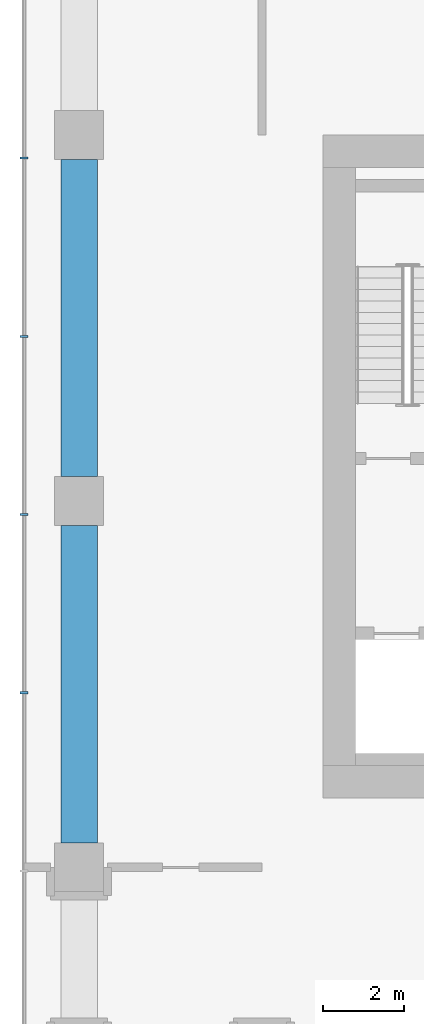
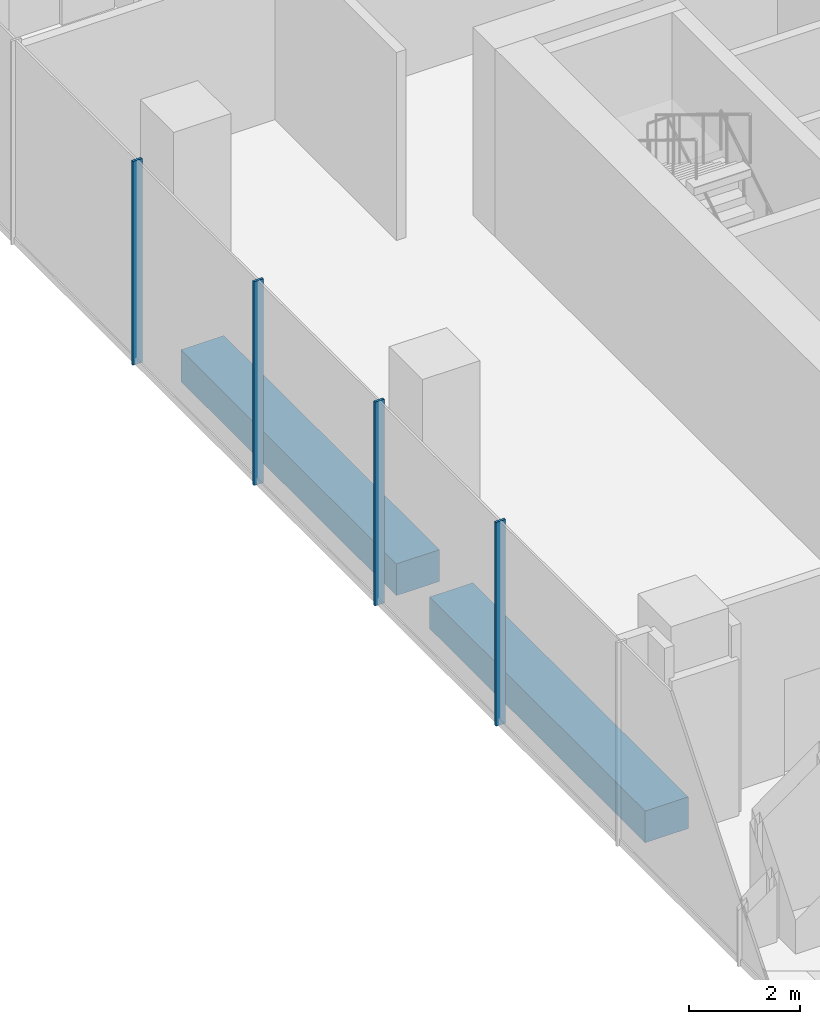
# One storey, part 3 of 43: 4 members, 2 beams, 1 element without a shape of its own.
"""IFC4 building model written with IfcOpenShell, lengths in metres."""

import ifcopenshell
import ifcopenshell.guid

model = None  # the IFC model being written
_history = None  # IfcOwnerHistory: only IFC2X3 demands one
_inside = {}  # id of a spatial element -> (the spatial element, [elements in it])
_under = {}  # id of a project, library or spatial element -> (it, [spatial elements below it])
_declared = {}  # id of a project -> (the project, [libraries it declares])
_typed = {}  # id of a type object -> (the type object, [elements of that type])
_made_of = {}  # id of a material, layer set ... -> (it, [elements and type objects made of it])


def new_model(schema):
    """Start an empty IFC model of exactly this schema.

    Asked for "IFC4X3", IfcOpenShell would pick the latest addendum, in which some entities
    have other attributes; the version numbers below select the first issue.
    IFC2X3 requires an IfcOwnerHistory on every rooted entity: one is made here for all.
    """
    global model, _history
    if schema == "IFC4X3":
        model = ifcopenshell.file(schema_version=(4, 3, 0, 0))
    else:
        model = ifcopenshell.file(schema=schema)
    _inside.clear()
    _under.clear()
    _declared.clear()
    _typed.clear()
    _made_of.clear()
    _history = None
    if model.schema == "IFC2X3":
        org = make("IfcOrganization", Name="unknown")
        user = make(
            "IfcPersonAndOrganization",
            ThePerson=make("IfcPerson", FamilyName="unknown"),
            TheOrganization=org,
        )
        app = make(
            "IfcApplication",
            ApplicationDeveloper=org,
            Version="unknown",
            ApplicationFullName="unknown",
            ApplicationIdentifier="unknown",
        )
        _history = make(
            "IfcOwnerHistory",
            OwningUser=user,
            OwningApplication=app,
            ChangeAction="ADDED",
            CreationDate=0,
        )
    return model


def make(cls, **values):
    """One entity of the class cls with the attributes given. An attribute that is None is left unset."""
    return model.create_entity(
        cls, **{name: value for name, value in values.items() if value is not None}
    )


def rooted(cls, **values):
    """An entity with a GlobalId (a new one), such as an element, a storey or a relation."""
    return make(cls, GlobalId=ifcopenshell.guid.new(), OwnerHistory=_history, **values)


def si_unit(unit_type, name, prefix=None):
    """IfcSIUnit, for example si_unit("LENGTHUNIT", "METRE", prefix="MILLI")."""
    return make("IfcSIUnit", UnitType=unit_type, Prefix=prefix, Name=name)


def assignment(units):
    """IfcUnitAssignment: the units of a project."""
    return None if units is None else make("IfcUnitAssignment", Units=units)


def point(xyz):
    """IfcCartesianPoint."""
    return None if xyz is None else make("IfcCartesianPoint", Coordinates=xyz)


def direction(xyz):
    """IfcDirection."""
    return None if xyz is None else make("IfcDirection", DirectionRatios=xyz)


def frame(location, z_axis=None, x_axis=None):
    """IfcAxis2Placement3D, a coordinate frame: its origin and axes. An axis left out is left unset."""
    return make(
        "IfcAxis2Placement3D",
        Location=point(location),
        Axis=direction(z_axis),
        RefDirection=direction(x_axis),
    )


def frame_2d(location, x_axis=None):
    """IfcAxis2Placement2D, a coordinate frame in the plane: its origin and x axis."""
    return make(
        "IfcAxis2Placement2D", Location=point(location), RefDirection=direction(x_axis)
    )


def origin():
    """The frame at (0, 0, 0) with its axes left unset."""
    return frame((0.0, 0.0, 0.0))


def origin_2d():
    """The frame at (0, 0) in the plane with its x axis left unset."""
    return frame_2d((0.0, 0.0))


def place(relative_to, where):
    """IfcLocalPlacement: puts the frame where relative to a parent placement (None: the world)."""
    return make(
        "IfcLocalPlacement", PlacementRelTo=relative_to, RelativePlacement=where
    )


def context(
    kind, dimensions, precision=None, world=None, true_north=None, identifier=None
):
    """IfcGeometricRepresentationContext, for example the 3D "Model" context."""
    return make(
        "IfcGeometricRepresentationContext",
        ContextIdentifier=identifier,
        ContextType=kind,
        CoordinateSpaceDimension=dimensions,
        Precision=precision,
        WorldCoordinateSystem=world,
        TrueNorth=true_north,
    )


def subcontext(parent, identifier, kind, view, scale=None):
    """IfcGeometricRepresentationSubContext, for example "Body" below "Model"."""
    return make(
        "IfcGeometricRepresentationSubContext",
        ContextIdentifier=identifier,
        ContextType=kind,
        ParentContext=parent,
        TargetScale=scale,
        TargetView=view,
    )


def project(units=None, contexts=None):
    """IfcProject with its units and contexts."""
    return rooted(
        "IfcProject",
        Name="project",
        RepresentationContexts=contexts,
        UnitsInContext=assignment(units),
    )


def spatial(cls, under=None, at=None, **own):
    """A site, building, storey or space (cls), placed at a placement, below another one or the project."""
    s = rooted(cls, ObjectPlacement=at, **own)
    if under is not None:
        _under.setdefault(under.id(), (under, []))[1].append(s)
    return s


def profile(cls, at=None, kind="AREA", **sizes):
    """A parametric profile (cls). Its sizes go by their IFC names, for example OverallWidth=200.0."""
    return make(cls, ProfileType=kind, Position=at, **sizes)


def rectangle(**sizes):
    """IfcRectangleProfileDef."""
    return profile("IfcRectangleProfileDef", **sizes)


def extrude(swept, where, along, depth):
    """IfcExtrudedAreaSolid: the profile swept, set in the frame where, extruded along a direction by depth."""
    return make(
        "IfcExtrudedAreaSolid",
        SweptArea=swept,
        Position=where,
        ExtrudedDirection=direction(along),
        Depth=depth,
    )


def shape(context_of_items, identifier, shape_type, items):
    """IfcShapeRepresentation: the items that make up one representation, for example the "Body"."""
    return make(
        "IfcShapeRepresentation",
        ContextOfItems=context_of_items,
        RepresentationIdentifier=identifier,
        RepresentationType=shape_type,
        Items=items,
    )


def material(Name=None, Category=None):
    """IfcMaterial."""
    return make("IfcMaterial", Name=Name, Category=Category)


def layer(
    of_material, thickness, ventilated=None, Name=None, Category=None, Priority=None
):
    """IfcMaterialLayer: one layer of a wall or slab, of a material (None: an air gap)."""
    return make(
        "IfcMaterialLayer",
        Material=of_material,
        LayerThickness=thickness,
        IsVentilated=ventilated,
        Name=Name,
        Category=Category,
        Priority=Priority,
    )


def layer_set(layers, Name=None):
    """IfcMaterialLayerSet."""
    return make("IfcMaterialLayerSet", MaterialLayers=layers, LayerSetName=Name)


def material_profile(
    of_material, cross_section, Name=None, Category=None, Priority=None
):
    """IfcMaterialProfile: a cross section and its material."""
    return make(
        "IfcMaterialProfile",
        Name=Name,
        Material=of_material,
        Profile=cross_section,
        Priority=Priority,
        Category=Category,
    )


def profile_set(profiles, Name=None, composite=None):
    """IfcMaterialProfileSet."""
    return make(
        "IfcMaterialProfileSet",
        Name=Name,
        MaterialProfiles=profiles,
        CompositeProfile=composite,
    )


def made_of(thing, what):
    """Note that an element or type object is made of a material, layer set ...; save() writes the relation."""
    if what is not None:
        _made_of.setdefault(what.id(), (what, []))[1].append(thing)
    return thing


def type_object(cls, material=None, **own):
    """A type object (cls), such as IfcWallType, which elements share."""
    return made_of(rooted(cls, **own), material)


def element(
    cls,
    number,
    at=None,
    inside=None,
    cuts=None,
    type_object=None,
    material=None,
    context=None,
    identifier="Body",
    shape_type=None,
    held_by="IfcProductDefinitionShape",
    body=None,
    shapes=None,
    **own,
):
    """One element of the class cls, such as IfcWall. Its Tag is "e" and its number.

    at: its placement. inside: the storey or other place that contains it. cuts: it is an
    opening in that element (IfcRelVoidsElement). A single representation is given by context,
    identifier, shape_type and body (its items); several are given by shapes. held_by: the class
    of the entity that holds the representations. save() writes the other relations.
    """
    e = rooted(cls, Tag="e%d" % number, ObjectPlacement=at, **own)
    if body is not None:
        shapes = [shape(context, identifier, shape_type, body)]
    if shapes is not None:
        e.Representation = make(held_by, Representations=shapes)
    if inside is not None:
        _inside.setdefault(inside.id(), (inside, []))[1].append(e)
    if cuts is not None:
        rooted(
            "IfcRelVoidsElement", RelatingBuildingElement=cuts, RelatedOpeningElement=e
        )
    if type_object is not None:
        _typed.setdefault(type_object.id(), (type_object, []))[1].append(e)
    return made_of(e, material)


def aggregate(whole, parts):
    """IfcRelAggregates: a whole, such as a stair, and the parts it consists of."""
    return rooted("IfcRelAggregates", RelatingObject=whole, RelatedObjects=parts)


def save(model, path):
    """Write the relations noted so far, then the file.

    IfcRelAggregates (storeys below a building ...), IfcRelContainedInSpatialStructure (elements
    in a storey), IfcRelDefinesByType, IfcRelAssociatesMaterial and IfcRelDeclares: one each for
    every whole, place, type object, material and project.
    """
    for whole, parts in _under.values():
        aggregate(whole, parts)
    for where, things in _inside.values():
        rooted(
            "IfcRelContainedInSpatialStructure",
            RelatedElements=things,
            RelatingStructure=where,
        )
    for kind, things in _typed.values():
        rooted("IfcRelDefinesByType", RelatedObjects=things, RelatingType=kind)
    for what, things in _made_of.values():
        rooted("IfcRelAssociatesMaterial", RelatedObjects=things, RelatingMaterial=what)
    for by, libraries in _declared.values():
        rooted("IfcRelDeclares", RelatingContext=by, RelatedDefinitions=libraries)
    model.write(path)


model = new_model("IFC4")

# Units and contexts
model_context = context("Model", 3, precision=1e-05, world=origin(), true_north=direction((0.0, 1.0)))
body_context = subcontext(model_context, "Body", "Model", "MODEL_VIEW")
ifc_project = project(units=[si_unit("LENGTHUNIT", "METRE"), si_unit("AREAUNIT", "SQUARE_METRE"), si_unit("VOLUMEUNIT", "CUBIC_METRE"), si_unit("PLANEANGLEUNIT", "RADIAN"), si_unit("MASSUNIT", "GRAM", prefix="KILO")], contexts=[model_context])

# Site, building, storey
site_placement = place(None, origin())
site = spatial("IfcSite", under=ifc_project, at=site_placement, CompositionType="ELEMENT")
building_placement = place(site_placement, origin())
building = spatial("IfcBuilding", under=site, at=building_placement, Name="Plateau Cross Towers", CompositionType="ELEMENT")
storey_placement = place(building_placement, frame((0.0, 0.0, 12.800048828125)))
storey = spatial("IfcBuildingStorey", under=building, at=storey_placement, Name="L02", CompositionType="ELEMENT", Elevation=12.800048828125)

# Curtain wall, members
ifc_material_1 = material(Name="Dark low-iron laminated glass", Category="glass")
ifc_layer = layer(ifc_material_1, 0.300048828125)
ifc_layer_set = layer_set([ifc_layer], Name="Dark low-iron laminated glass")
curtain_wall_type = type_object("IfcCurtainWallType", Name="Curtain wall structural silicone CW-C", PredefinedType="NOTDEFINED", material=ifc_layer_set)
curtain_wall_placement = place(storey_placement, origin())
curtain_wall = element("IfcCurtainWall", 1, at=curtain_wall_placement, inside=storey, type_object=curtain_wall_type, Name="ENV/P/L02/P-58_568", PredefinedType="NOTDEFINED")
ifc_material_2 = material(Name="Black anodised aluminium", Category="aluminium")
ifc_material_profile_1 = material_profile(ifc_material_2, rectangle(XDim=0.050048828125, YDim=0.199951171875, at=origin_2d()), Name="MULLION 50x200")
ifc_profile_set_1 = profile_set([ifc_material_profile_1], Name="Black anodised aluminium")
member_type = type_object("IfcMemberType", Name="Mullion 50x200 structural silicone", PredefinedType="MULLION", material=ifc_profile_set_1)
member_1_placement = place(storey_placement, frame((-5.85009765625, 17.429931640625, -0.35009765625), z_axis=(0.0, 0.0, 1.0), x_axis=(0.0, -1.0, 0.0)))
member_1 = element("IfcMember", 2, at=member_1_placement, type_object=member_type, Name="CW-C mullion 10", PredefinedType="MULLION", context=body_context, shape_type="SweptSolid", body=[
    extrude(rectangle(XDim=0.050048828125, YDim=0.199951171875, at=origin_2d()), origin(), (0.0, 0.0, 1.0), 4.5),
])
member_2_placement = place(storey_placement, frame((-5.85009765625, 13.050048828125, -0.35009765625), z_axis=(0.0, 0.0, 1.0), x_axis=(0.0, -1.0, 0.0)))
member_2 = element("IfcMember", 3, at=member_2_placement, type_object=member_type, Name="CW-C mullion 11", PredefinedType="MULLION", context=body_context, shape_type="SweptSolid", body=[
    extrude(rectangle(XDim=0.050048828125, YDim=0.199951171875, at=origin_2d()), origin(), (0.0, 0.0, 1.0), 4.5),
])
member_3_placement = place(storey_placement, frame((-5.85009765625, 8.669921875, -0.35009765625), z_axis=(0.0, 0.0, 1.0), x_axis=(0.0, -1.0, 0.0)))
member_3 = element("IfcMember", 4, at=member_3_placement, type_object=member_type, Name="CW-C mullion 12", PredefinedType="MULLION", context=body_context, shape_type="SweptSolid", body=[
    extrude(rectangle(XDim=0.050048828125, YDim=0.199951171875, at=origin_2d()), origin(), (0.0, 0.0, 1.0), 4.5),
])
member_4_placement = place(storey_placement, frame((-5.85009765625, 4.2900390625, -0.35009765625), z_axis=(0.0, 0.0, 1.0), x_axis=(0.0, -1.0, 0.0)))
member_4 = element("IfcMember", 5, at=member_4_placement, type_object=member_type, Name="CW-C mullion 13", PredefinedType="MULLION", context=body_context, shape_type="SweptSolid", body=[
    extrude(rectangle(XDim=0.050048828125, YDim=0.199951171875, at=origin_2d()), origin(), (0.0, 0.0, 1.0), 4.5),
])
aggregate(curtain_wall, [member_1, member_2, member_3, member_4])

# Beams
ifc_material_3 = material(Name="Concrete C50/60", Category="concrete")
ifc_material_profile_2 = material_profile(ifc_material_3, rectangle(XDim=0.89990234375, YDim=0.699951171875, at=origin_2d()), Name="RC 900x700")
ifc_profile_set_2 = profile_set([ifc_material_profile_2], Name="Concrete C50/60")
beam_type = type_object("IfcBeamType", Name="Podium band beam RC 900x700", PredefinedType="BEAM", material=ifc_profile_set_2)
for number, where, z_axis, x_axis, name in (
    (6, (-4.5, 0.60009765625, -0.699951171875), (0.0, 1.0, 0.0), (-1.0, 0.0, 0.0), "PB95@L02"),
    (7, (-4.5, 9.60009765625, -0.699951171875), (0.0, 1.0, 0.0), (-1.0, 0.0, 0.0), "PB96@L02"),
):
    element("IfcBeam", number, at=place(storey_placement, frame(where, z_axis=z_axis, x_axis=x_axis)), inside=storey, type_object=beam_type, Name=name, PredefinedType="BEAM", context=body_context, shape_type="SweptSolid", body=[
        extrude(rectangle(XDim=0.89990234375, YDim=0.699951171875, at=origin_2d()), origin(), (0.0, 0.0, 1.0), 7.7998046875),
    ])

save(model, "model.ifc")
